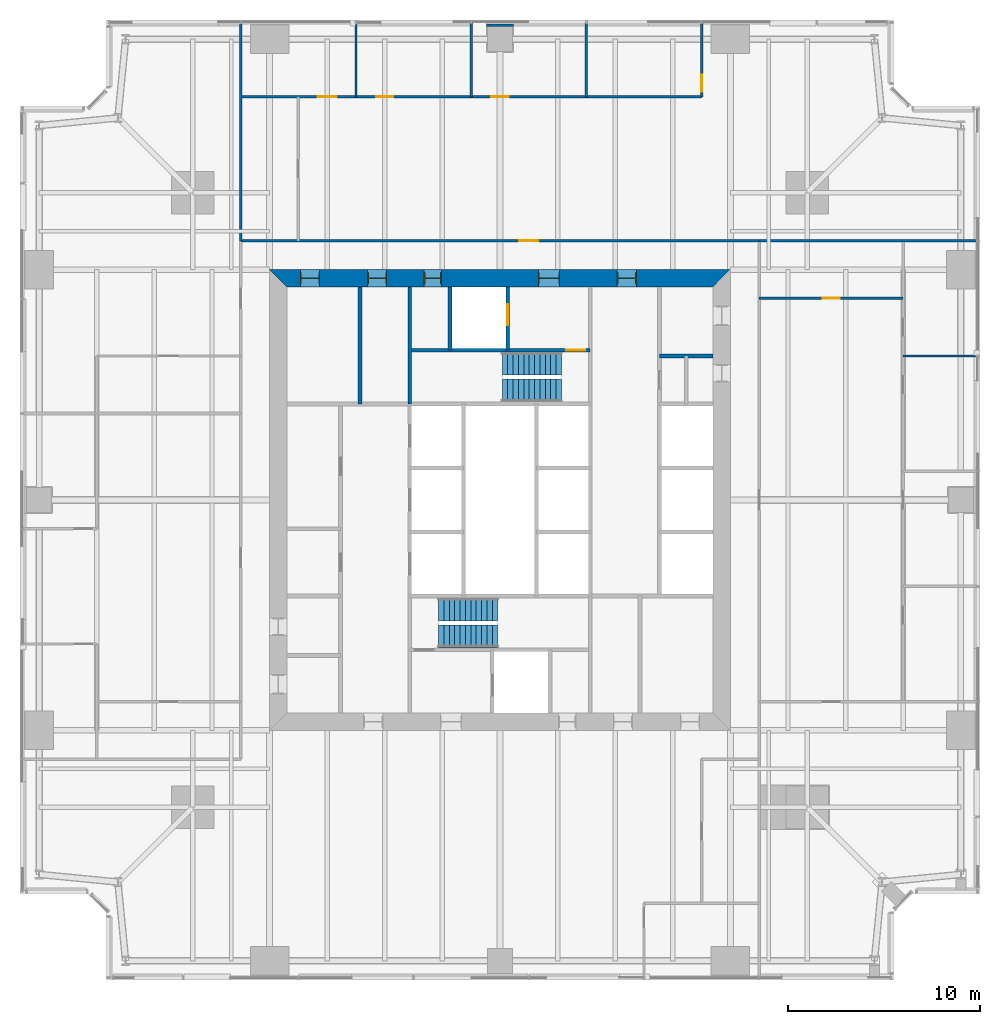
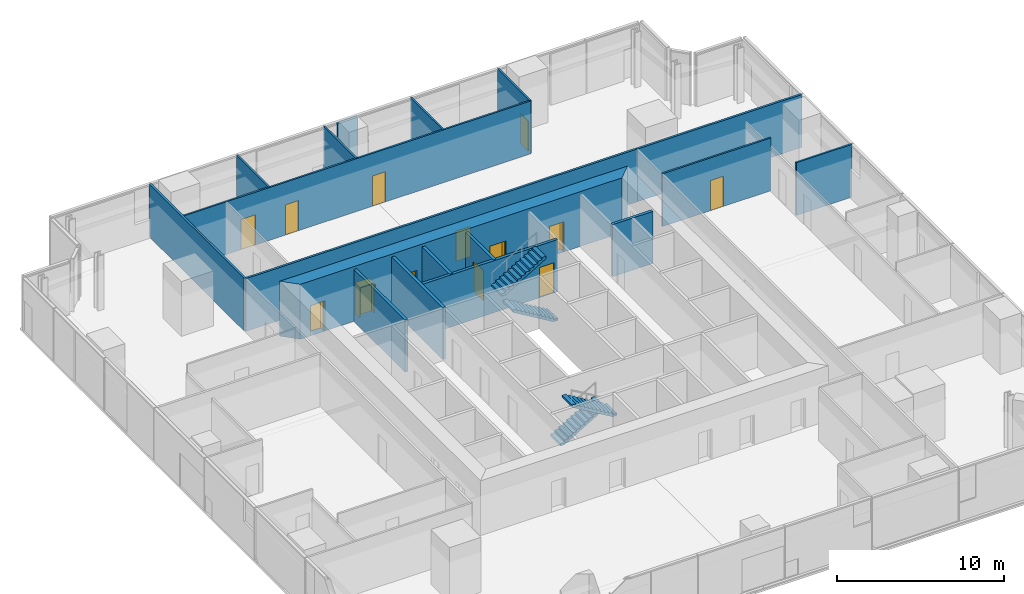
# One storey, part 11 of 13: 18 walls, 13 doors, 4 stair flights, 13 openings, 2 elements without a shape of their own.
"""IFC4 building model written with IfcOpenShell, lengths in metres."""

import ifcopenshell
import ifcopenshell.guid

model = None  # the IFC model being written
_history = None  # IfcOwnerHistory: only IFC2X3 demands one
_inside = {}  # id of a spatial element -> (the spatial element, [elements in it])
_under = {}  # id of a project, library or spatial element -> (it, [spatial elements below it])
_declared = {}  # id of a project -> (the project, [libraries it declares])
_typed = {}  # id of a type object -> (the type object, [elements of that type])
_made_of = {}  # id of a material, layer set ... -> (it, [elements and type objects made of it])


def new_model(schema):
    """Start an empty IFC model of exactly this schema.

    Asked for "IFC4X3", IfcOpenShell would pick the latest addendum, in which some entities
    have other attributes; the version numbers below select the first issue.
    IFC2X3 requires an IfcOwnerHistory on every rooted entity: one is made here for all.
    """
    global model, _history
    if schema == "IFC4X3":
        model = ifcopenshell.file(schema_version=(4, 3, 0, 0))
    else:
        model = ifcopenshell.file(schema=schema)
    _inside.clear()
    _under.clear()
    _declared.clear()
    _typed.clear()
    _made_of.clear()
    _history = None
    if model.schema == "IFC2X3":
        org = make("IfcOrganization", Name="unknown")
        user = make(
            "IfcPersonAndOrganization",
            ThePerson=make("IfcPerson", FamilyName="unknown"),
            TheOrganization=org,
        )
        app = make(
            "IfcApplication",
            ApplicationDeveloper=org,
            Version="unknown",
            ApplicationFullName="unknown",
            ApplicationIdentifier="unknown",
        )
        _history = make(
            "IfcOwnerHistory",
            OwningUser=user,
            OwningApplication=app,
            ChangeAction="ADDED",
            CreationDate=0,
        )
    return model


def make(cls, **values):
    """One entity of the class cls with the attributes given. An attribute that is None is left unset."""
    return model.create_entity(
        cls, **{name: value for name, value in values.items() if value is not None}
    )


def rooted(cls, **values):
    """An entity with a GlobalId (a new one), such as an element, a storey or a relation."""
    return make(cls, GlobalId=ifcopenshell.guid.new(), OwnerHistory=_history, **values)


def si_unit(unit_type, name, prefix=None):
    """IfcSIUnit, for example si_unit("LENGTHUNIT", "METRE", prefix="MILLI")."""
    return make("IfcSIUnit", UnitType=unit_type, Prefix=prefix, Name=name)


def assignment(units):
    """IfcUnitAssignment: the units of a project."""
    return None if units is None else make("IfcUnitAssignment", Units=units)


def point(xyz):
    """IfcCartesianPoint."""
    return None if xyz is None else make("IfcCartesianPoint", Coordinates=xyz)


def direction(xyz):
    """IfcDirection."""
    return None if xyz is None else make("IfcDirection", DirectionRatios=xyz)


def frame(location, z_axis=None, x_axis=None):
    """IfcAxis2Placement3D, a coordinate frame: its origin and axes. An axis left out is left unset."""
    return make(
        "IfcAxis2Placement3D",
        Location=point(location),
        Axis=direction(z_axis),
        RefDirection=direction(x_axis),
    )


def frame_2d(location, x_axis=None):
    """IfcAxis2Placement2D, a coordinate frame in the plane: its origin and x axis."""
    return make(
        "IfcAxis2Placement2D", Location=point(location), RefDirection=direction(x_axis)
    )


def origin():
    """The frame at (0, 0, 0) with its axes left unset."""
    return frame((0.0, 0.0, 0.0))


def place(relative_to, where):
    """IfcLocalPlacement: puts the frame where relative to a parent placement (None: the world)."""
    return make(
        "IfcLocalPlacement", PlacementRelTo=relative_to, RelativePlacement=where
    )


def context(
    kind, dimensions, precision=None, world=None, true_north=None, identifier=None
):
    """IfcGeometricRepresentationContext, for example the 3D "Model" context."""
    return make(
        "IfcGeometricRepresentationContext",
        ContextIdentifier=identifier,
        ContextType=kind,
        CoordinateSpaceDimension=dimensions,
        Precision=precision,
        WorldCoordinateSystem=world,
        TrueNorth=true_north,
    )


def subcontext(parent, identifier, kind, view, scale=None):
    """IfcGeometricRepresentationSubContext, for example "Body" below "Model"."""
    return make(
        "IfcGeometricRepresentationSubContext",
        ContextIdentifier=identifier,
        ContextType=kind,
        ParentContext=parent,
        TargetScale=scale,
        TargetView=view,
    )


def project(units=None, contexts=None):
    """IfcProject with its units and contexts."""
    return rooted(
        "IfcProject",
        Name="project",
        RepresentationContexts=contexts,
        UnitsInContext=assignment(units),
    )


def spatial(cls, under=None, at=None, **own):
    """A site, building, storey or space (cls), placed at a placement, below another one or the project."""
    s = rooted(cls, ObjectPlacement=at, **own)
    if under is not None:
        _under.setdefault(under.id(), (under, []))[1].append(s)
    return s


def polyline(points):
    """IfcPolyline through the points."""
    return make("IfcPolyline", Points=[point(p) for p in points])


def profile(cls, at=None, kind="AREA", **sizes):
    """A parametric profile (cls). Its sizes go by their IFC names, for example OverallWidth=200.0."""
    return make(cls, ProfileType=kind, Position=at, **sizes)


def rectangle(**sizes):
    """IfcRectangleProfileDef."""
    return profile("IfcRectangleProfileDef", **sizes)


def outline(outer, holes=None, kind="AREA"):
    """IfcArbitraryClosedProfileDef: a profile drawn as a closed curve; with holes, ...WithVoids."""
    if holes is None:
        return make("IfcArbitraryClosedProfileDef", ProfileType=kind, OuterCurve=outer)
    return make(
        "IfcArbitraryProfileDefWithVoids",
        ProfileType=kind,
        OuterCurve=outer,
        InnerCurves=holes,
    )


def extrude(swept, where, along, depth):
    """IfcExtrudedAreaSolid: the profile swept, set in the frame where, extruded along a direction by depth."""
    return make(
        "IfcExtrudedAreaSolid",
        SweptArea=swept,
        Position=where,
        ExtrudedDirection=direction(along),
        Depth=depth,
    )


def shape(context_of_items, identifier, shape_type, items):
    """IfcShapeRepresentation: the items that make up one representation, for example the "Body"."""
    return make(
        "IfcShapeRepresentation",
        ContextOfItems=context_of_items,
        RepresentationIdentifier=identifier,
        RepresentationType=shape_type,
        Items=items,
    )


def material(Name=None, Category=None):
    """IfcMaterial."""
    return make("IfcMaterial", Name=Name, Category=Category)


def layer(
    of_material, thickness, ventilated=None, Name=None, Category=None, Priority=None
):
    """IfcMaterialLayer: one layer of a wall or slab, of a material (None: an air gap)."""
    return make(
        "IfcMaterialLayer",
        Material=of_material,
        LayerThickness=thickness,
        IsVentilated=ventilated,
        Name=Name,
        Category=Category,
        Priority=Priority,
    )


def layer_set(layers, Name=None):
    """IfcMaterialLayerSet."""
    return make("IfcMaterialLayerSet", MaterialLayers=layers, LayerSetName=Name)


def made_of(thing, what):
    """Note that an element or type object is made of a material, layer set ...; save() writes the relation."""
    if what is not None:
        _made_of.setdefault(what.id(), (what, []))[1].append(thing)
    return thing


def type_object(cls, material=None, **own):
    """A type object (cls), such as IfcWallType, which elements share."""
    return made_of(rooted(cls, **own), material)


def element(
    cls,
    number,
    at=None,
    inside=None,
    cuts=None,
    type_object=None,
    material=None,
    context=None,
    identifier="Body",
    shape_type=None,
    held_by="IfcProductDefinitionShape",
    body=None,
    shapes=None,
    **own,
):
    """One element of the class cls, such as IfcWall. Its Tag is "e" and its number.

    at: its placement. inside: the storey or other place that contains it. cuts: it is an
    opening in that element (IfcRelVoidsElement). A single representation is given by context,
    identifier, shape_type and body (its items); several are given by shapes. held_by: the class
    of the entity that holds the representations. save() writes the other relations.
    """
    e = rooted(cls, Tag="e%d" % number, ObjectPlacement=at, **own)
    if body is not None:
        shapes = [shape(context, identifier, shape_type, body)]
    if shapes is not None:
        e.Representation = make(held_by, Representations=shapes)
    if inside is not None:
        _inside.setdefault(inside.id(), (inside, []))[1].append(e)
    if cuts is not None:
        rooted(
            "IfcRelVoidsElement", RelatingBuildingElement=cuts, RelatedOpeningElement=e
        )
    if type_object is not None:
        _typed.setdefault(type_object.id(), (type_object, []))[1].append(e)
    return made_of(e, material)


def fill(opening, filler):
    """IfcRelFillsElement: the door or window that sits in an opening."""
    return rooted(
        "IfcRelFillsElement",
        RelatingOpeningElement=opening,
        RelatedBuildingElement=filler,
    )


def aggregate(whole, parts):
    """IfcRelAggregates: a whole, such as a stair, and the parts it consists of."""
    return rooted("IfcRelAggregates", RelatingObject=whole, RelatedObjects=parts)


def save(model, path):
    """Write the relations noted so far, then the file.

    IfcRelAggregates (storeys below a building ...), IfcRelContainedInSpatialStructure (elements
    in a storey), IfcRelDefinesByType, IfcRelAssociatesMaterial and IfcRelDeclares: one each for
    every whole, place, type object, material and project.
    """
    for whole, parts in _under.values():
        aggregate(whole, parts)
    for where, things in _inside.values():
        rooted(
            "IfcRelContainedInSpatialStructure",
            RelatedElements=things,
            RelatingStructure=where,
        )
    for kind, things in _typed.values():
        rooted("IfcRelDefinesByType", RelatedObjects=things, RelatingType=kind)
    for what, things in _made_of.values():
        rooted("IfcRelAssociatesMaterial", RelatedObjects=things, RelatingMaterial=what)
    for by, libraries in _declared.values():
        rooted("IfcRelDeclares", RelatingContext=by, RelatedDefinitions=libraries)
    model.write(path)


model = new_model("IFC4")

# Units and contexts
model_context = context("Model", 3, precision=1e-05, world=origin(), true_north=direction((0.0, 1.0)))
body_context = subcontext(model_context, "Body", "Model", "MODEL_VIEW")
ifc_project = project(units=[si_unit("LENGTHUNIT", "METRE"), si_unit("AREAUNIT", "SQUARE_METRE"), si_unit("VOLUMEUNIT", "CUBIC_METRE"), si_unit("PLANEANGLEUNIT", "RADIAN"), si_unit("MASSUNIT", "GRAM", prefix="KILO")], contexts=[model_context])

# Site, building, storey
site_placement = place(None, origin())
site = spatial("IfcSite", under=ifc_project, at=site_placement, CompositionType="ELEMENT")
building_placement = place(site_placement, origin())
building = spatial("IfcBuilding", under=site, at=building_placement, Name="Fenwick Lantern Interchange", CompositionType="ELEMENT")
storey_placement = place(building_placement, frame((0.0, 0.0, 138.39990234375)))
storey = spatial("IfcBuildingStorey", under=building, at=storey_placement, Name="L32", CompositionType="ELEMENT", Elevation=138.39990234375)

# Wall
ifc_material_1 = material(Name="Fire-rated gypsum board encasement on steel studs, 2 hour", Category="steel")
ifc_layer_1 = layer(ifc_material_1, 1.39990234375)
ifc_layer_set_1 = layer_set([ifc_layer_1], Name="COLUMN PIER 1400")
wall_type_1 = type_object("IfcWallType", Name="COLUMN PIER 1400", PredefinedType="PARTITIONING", material=ifc_layer_set_1)
wall_1_placement = place(storey_placement, frame((25.0, 49.800048828125, 0.0), z_axis=(0.0, 0.0, 1.0), x_axis=(0.0, -1.0, 0.0)))
element("IfcWall", 1, at=wall_1_placement, inside=storey, type_object=wall_type_1, Name="L32/W/PIER/CN3", PredefinedType="PARTITIONING", context=body_context, shape_type="SweptSolid", body=[
    extrude(rectangle(XDim=0.150146484375, YDim=1.39990234375, at=frame_2d((0.0751953125, 0.0))), origin(), (0.0, 0.0, 1.0), 3.85009765625),
])

# Wall, opening, door
ifc_material_2 = material(Name="Concrete masonry ASTM C90 Grade N", Category="masonry")
ifc_layer_2 = layer(ifc_material_2, 0.199951171875)
ifc_layer_set_2 = layer_set([ifc_layer_2], Name="Concrete masonry ASTM C90 Grade N")
wall_type_2 = type_object("IfcWallType", Name="CORE PARTITION 200", PredefinedType="PARTITIONING", material=ifc_layer_set_2)
wall_2_placement = place(storey_placement, frame((25.39990234375, 36.10009765625, 0.0), z_axis=(0.0, 0.0, 1.0), x_axis=(0.0, -1.0, 0.0)))
wall_2 = element("IfcWall", 2, at=wall_2_placement, inside=storey, type_object=wall_type_2, Name="L32/W/COREN/h1", PredefinedType="PARTITIONING", context=body_context, shape_type="SweptSolid", body=[
    extrude(rectangle(XDim=3.300048828125, YDim=0.199951171875, at=frame_2d((1.64990234375, 0.0))), origin(), (0.0, 0.0, 1.0), 3.800048828125),
])
opening_1_placement = place(wall_2_placement, frame((0.89990234375, 0.0, 0.0)))
opening_1 = element("IfcOpeningElement", 3, at=opening_1_placement, cuts=wall_2, Name="Opening LD-FL2", PredefinedType="OPENING", context=body_context, shape_type="SweptSolid", body=[
    extrude(rectangle(XDim=1.10009765625, YDim=2.199951171875, at=frame_2d((0.550048828125, 1.10009765625))), frame((0.0, 0.10986328125, 0.0), z_axis=(0.0, -1.0, 0.0), x_axis=(1.0, 0.0, 0.0)), (0.0, 0.0, 1.0), 0.219970703125),
])
ifc_material_3 = material(Name="Steel door and frame", Category="steel")
door_type_1 = type_object("IfcDoorType", Name="LIFT LANDING DOOR 1100 X 2200", OperationType="DOUBLE_DOOR_SLIDING", PredefinedType="DOOR", material=ifc_material_3)
door_1_placement = place(opening_1_placement, origin())
door_1 = element("IfcDoor", 4, at=door_1_placement, inside=storey, type_object=door_type_1, Name="Lift landing door FL2", OperationType="DOUBLE_DOOR_SLIDING", OverallHeight=2.199951171875, OverallWidth=1.10009765625, PredefinedType="DOOR", context=body_context, shape_type="SweptSolid", body=[
    extrude(rectangle(XDim=1.10009765625, YDim=2.199951171875, at=frame_2d((0.550048828125, 1.10009765625))), frame((0.0, 0.02490234375, 0.0), z_axis=(0.0, -1.0, 0.0), x_axis=(1.0, 0.0, 0.0)), (0.0, 0.0, 1.0), 0.050048828125),
])
fill(opening_1, door_1)

# Walls
wall_3_placement = place(storey_placement, frame((22.39990234375, 36.10009765625, 0.0), z_axis=(0.0, 0.0, 1.0), x_axis=(0.0, -1.0, 0.0)))
element("IfcWall", 5, at=wall_3_placement, inside=storey, type_object=wall_type_2, Name="L32/W/COREN/h2", PredefinedType="PARTITIONING", context=body_context, shape_type="SweptSolid", body=[
    extrude(rectangle(XDim=3.300048828125, YDim=0.199951171875, at=frame_2d((1.64990234375, 0.0))), origin(), (0.0, 0.0, 1.0), 3.800048828125),
])
wall_4_placement = place(storey_placement, frame((17.699951171875, 36.10009765625, 0.0), z_axis=(0.0, 0.0, 1.0), x_axis=(0.0, -1.0, 0.0)))
element("IfcWall", 6, at=wall_4_placement, inside=storey, type_object=wall_type_2, Name="L32/W/COREN/i2", PredefinedType="PARTITIONING", context=body_context, shape_type="SweptSolid", body=[
    extrude(rectangle(XDim=6.10009765625, YDim=0.199951171875, at=frame_2d((3.050048828125, 0.0))), origin(), (0.0, 0.0, 1.0), 3.800048828125),
])
wall_5_placement = place(storey_placement, frame((36.10009765625, 32.5, 0.0), z_axis=(0.0, 0.0, 1.0), x_axis=(-1.0, 0.0, 0.0)))
element("IfcWall", 7, at=wall_5_placement, inside=storey, type_object=wall_type_2, Name="L32/W/COREN/p1", PredefinedType="PARTITIONING", context=body_context, shape_type="SweptSolid", body=[
    extrude(rectangle(XDim=2.800048828125, YDim=0.199951171875, at=frame_2d((1.39990234375, 0.0))), origin(), (0.0, 0.0, 1.0), 3.800048828125),
])

# Wall, openings, doors
ifc_material_4 = material(Name="Concrete f'c 70 MPa", Category="concrete")
ifc_layer_3 = layer(ifc_material_4, 0.89990234375)
ifc_layer_set_3 = layer_set([ifc_layer_3], Name="CORE WALL 900")
wall_type_3 = type_object("IfcWallType", Name="CORE WALL 900", PredefinedType="SHEAR", material=ifc_layer_set_3)
wall_6_placement = place(storey_placement, frame((37.0, 36.550048828125, 0.0), z_axis=(0.0, 0.0, 1.0), x_axis=(-1.0, 0.0, 0.0)))
wall_6 = element("IfcWall", 8, at=wall_6_placement, inside=storey, type_object=wall_type_3, Name="L32/CORE/N", PredefinedType="SHEAR", context=body_context, shape_type="SweptSolid", body=[
    extrude(outline(polyline([(0.0, -0.449951171875), (24.0, -0.449951171875), (23.10009765625, 0.449951171875), (0.89990234375, 0.449951171875), (0.0, -0.449951171875)])), origin(), (0.0, 0.0, 1.0), 4.0),
])
opening_2_placement = place(wall_6_placement, frame((4.89990234375, 0.0, 0.0)))
opening_2 = element("IfcOpeningElement", 9, at=opening_2_placement, cuts=wall_6, Name="Opening L32-D011", PredefinedType="OPENING", context=body_context, shape_type="SweptSolid", body=[
    extrude(rectangle(XDim=1.0, YDim=2.199951171875, at=frame_2d((0.5, 1.10009765625))), frame((0.0, 0.4599609375, 0.0), z_axis=(0.0, -1.0, 0.0), x_axis=(1.0, 0.0, 0.0)), (0.0, 0.0, 1.0), 0.919921875),
])
opening_3_placement = place(wall_6_placement, frame((8.89990234375, 0.0, 0.0)))
opening_3 = element("IfcOpeningElement", 10, at=opening_3_placement, cuts=wall_6, Name="Opening L32-D012", PredefinedType="OPENING", context=body_context, shape_type="SweptSolid", body=[
    extrude(rectangle(XDim=1.10009765625, YDim=2.199951171875, at=frame_2d((0.550048828125, 1.10009765625))), frame((0.0, 0.4599609375, 0.0), z_axis=(0.0, -1.0, 0.0), x_axis=(1.0, 0.0, 0.0)), (0.0, 0.0, 1.0), 0.919921875),
])
opening_4_placement = place(wall_6_placement, frame((15.050048828125, 0.0, 0.0)))
opening_4 = element("IfcOpeningElement", 11, at=opening_4_placement, cuts=wall_6, Name="Opening L32-D014", PredefinedType="OPENING", context=body_context, shape_type="SweptSolid", body=[
    extrude(rectangle(XDim=0.89990234375, YDim=2.199951171875, at=frame_2d((0.449951171875, 1.10009765625))), frame((0.0, 0.4599609375, 0.0), z_axis=(0.0, -1.0, 0.0), x_axis=(1.0, 0.0, 0.0)), (0.0, 0.0, 1.0), 0.919921875),
])
opening_5_placement = place(wall_6_placement, frame((17.89990234375, 0.0, 0.0)))
opening_5 = element("IfcOpeningElement", 12, at=opening_5_placement, cuts=wall_6, Name="Opening L32-D015", PredefinedType="OPENING", context=body_context, shape_type="SweptSolid", body=[
    extrude(rectangle(XDim=1.0, YDim=2.199951171875, at=frame_2d((0.5, 1.10009765625))), frame((0.0, 0.4599609375, 0.0), z_axis=(0.0, -1.0, 0.0), x_axis=(1.0, 0.0, 0.0)), (0.0, 0.0, 1.0), 0.919921875),
])
opening_6_placement = place(wall_6_placement, frame((21.39990234375, 0.0, 0.0)))
opening_6 = element("IfcOpeningElement", 13, at=opening_6_placement, cuts=wall_6, Name="Opening L32-D016", PredefinedType="OPENING", context=body_context, shape_type="SweptSolid", body=[
    extrude(rectangle(XDim=1.0, YDim=2.199951171875, at=frame_2d((0.5, 1.10009765625))), frame((0.0, 0.4599609375, 0.0), z_axis=(0.0, -1.0, 0.0), x_axis=(1.0, 0.0, 0.0)), (0.0, 0.0, 1.0), 0.919921875),
])
door_type_2 = type_object("IfcDoorType", Name="CORE LOBBY DOOR 1000 X 2200", OperationType="SINGLE_SWING_LEFT", PredefinedType="DOOR", material=ifc_material_3)
door_2_placement = place(opening_2_placement, origin())
door_2 = element("IfcDoor", 14, at=door_2_placement, inside=storey, type_object=door_type_2, Name="Core lobby door", OperationType="SINGLE_SWING_LEFT", OverallHeight=2.199951171875, OverallWidth=1.0, PredefinedType="DOOR", context=body_context, shape_type="SweptSolid", body=[
    extrude(rectangle(XDim=1.0, YDim=2.199951171875, at=frame_2d((0.5, 1.10009765625))), frame((0.0, 0.02490234375, 0.0), z_axis=(0.0, -1.0, 0.0), x_axis=(1.0, 0.0, 0.0)), (0.0, 0.0, 1.0), 0.050048828125),
    extrude(outline(polyline([(0.0, 0.0), (0.0400390625, 0.0), (0.0400390625, 2.159912109375), (0.9599609375, 2.159912109375), (0.9599609375, 0.0), (1.0, 0.0), (1.0, 2.199951171875), (0.0, 2.199951171875), (0.0, 0.0)])), frame((0.0, 0.300048828125, 0.0), z_axis=(0.0, -1.0, 0.0), x_axis=(1.0, 0.0, 0.0)), (0.0, 0.0, 1.0), 0.60009765625),
])
fill(opening_2, door_2)
door_type_3 = type_object("IfcDoorType", Name="FIRE LOBBY DOOR 1100 X 2200", OperationType="SINGLE_SWING_LEFT", PredefinedType="DOOR", material=ifc_material_3)
door_3_placement = place(opening_3_placement, origin())
door_3 = element("IfcDoor", 15, at=door_3_placement, inside=storey, type_object=door_type_3, Name="Fire lobby door", OperationType="SINGLE_SWING_LEFT", OverallHeight=2.199951171875, OverallWidth=1.10009765625, PredefinedType="DOOR", context=body_context, shape_type="SweptSolid", body=[
    extrude(rectangle(XDim=1.10009765625, YDim=2.199951171875, at=frame_2d((0.550048828125, 1.10009765625))), frame((0.0, 0.02490234375, 0.0), z_axis=(0.0, -1.0, 0.0), x_axis=(1.0, 0.0, 0.0)), (0.0, 0.0, 1.0), 0.050048828125),
    extrude(outline(polyline([(0.0, 0.0), (0.0400390625, 0.0), (0.0400390625, 2.159912109375), (1.06005859375, 2.159912109375), (1.06005859375, 0.0), (1.10009765625, 0.0), (1.10009765625, 2.199951171875), (0.0, 2.199951171875), (0.0, 0.0)])), frame((0.0, 0.300048828125, 0.0), z_axis=(0.0, -1.0, 0.0), x_axis=(1.0, 0.0, 0.0)), (0.0, 0.0, 1.0), 0.60009765625),
])
fill(opening_3, door_3)
door_type_4 = type_object("IfcDoorType", Name="SERVICE DOOR 900 X 2200", OperationType="SINGLE_SWING_LEFT", PredefinedType="DOOR", material=ifc_material_3)
door_4_placement = place(opening_4_placement, origin())
door_4 = element("IfcDoor", 16, at=door_4_placement, inside=storey, type_object=door_type_4, Name="Service door", OperationType="SINGLE_SWING_LEFT", OverallHeight=2.199951171875, OverallWidth=0.89990234375, PredefinedType="DOOR", context=body_context, shape_type="SweptSolid", body=[
    extrude(rectangle(XDim=0.89990234375, YDim=2.199951171875, at=frame_2d((0.449951171875, 1.10009765625))), frame((0.0, 0.02490234375, 0.0), z_axis=(0.0, -1.0, 0.0), x_axis=(1.0, 0.0, 0.0)), (0.0, 0.0, 1.0), 0.050048828125),
    extrude(outline(polyline([(0.0, 0.0), (0.0400390625, 0.0), (0.0400390625, 2.159912109375), (0.85986328125, 2.159912109375), (0.85986328125, 0.0), (0.89990234375, 0.0), (0.89990234375, 2.199951171875), (0.0, 2.199951171875), (0.0, 0.0)])), frame((0.0, 0.300048828125, 0.0), z_axis=(0.0, -1.0, 0.0), x_axis=(1.0, 0.0, 0.0)), (0.0, 0.0, 1.0), 0.60009765625),
])
fill(opening_4, door_4)
ifc_material_5 = material(Name="Hardwood door and steel frame", Category="steel")
door_type_5 = type_object("IfcDoorType", Name="WC DOOR 1000 X 2200", OperationType="SINGLE_SWING_LEFT", PredefinedType="DOOR", material=ifc_material_5)
door_5_placement = place(opening_5_placement, origin())
door_5 = element("IfcDoor", 17, at=door_5_placement, inside=storey, type_object=door_type_5, Name="Wc door", OperationType="SINGLE_SWING_RIGHT", OverallHeight=2.199951171875, OverallWidth=1.0, PredefinedType="DOOR", context=body_context, shape_type="SweptSolid", body=[
    extrude(rectangle(XDim=1.0, YDim=2.199951171875, at=frame_2d((0.5, 1.10009765625))), frame((0.0, 0.02490234375, 0.0), z_axis=(0.0, -1.0, 0.0), x_axis=(1.0, 0.0, 0.0)), (0.0, 0.0, 1.0), 0.050048828125),
    extrude(outline(polyline([(0.0, 0.0), (0.0400390625, 0.0), (0.0400390625, 2.159912109375), (0.9599609375, 2.159912109375), (0.9599609375, 0.0), (1.0, 0.0), (1.0, 2.199951171875), (0.0, 2.199951171875), (0.0, 0.0)])), frame((0.0, 0.300048828125, 0.0), z_axis=(0.0, -1.0, 0.0), x_axis=(1.0, 0.0, 0.0)), (0.0, 0.0, 1.0), 0.60009765625),
])
fill(opening_5, door_5)
door_6_placement = place(opening_6_placement, origin())
door_6 = element("IfcDoor", 18, at=door_6_placement, inside=storey, type_object=door_type_5, Name="Wc door", OperationType="SINGLE_SWING_RIGHT", OverallHeight=2.199951171875, OverallWidth=1.0, PredefinedType="DOOR", context=body_context, shape_type="SweptSolid", body=[
    extrude(rectangle(XDim=1.0, YDim=2.199951171875, at=frame_2d((0.5, 1.10009765625))), frame((0.0, 0.02490234375, 0.0), z_axis=(0.0, -1.0, 0.0), x_axis=(1.0, 0.0, 0.0)), (0.0, 0.0, 1.0), 0.050048828125),
    extrude(outline(polyline([(0.0, 0.0), (0.0400390625, 0.0), (0.0400390625, 2.159912109375), (0.9599609375, 2.159912109375), (0.9599609375, 0.0), (1.0, 0.0), (1.0, 2.199951171875), (0.0, 2.199951171875), (0.0, 0.0)])), frame((0.0, 0.300048828125, 0.0), z_axis=(0.0, -1.0, 0.0), x_axis=(1.0, 0.0, 0.0)), (0.0, 0.0, 1.0), 0.60009765625),
])
fill(opening_6, door_6)

# Wall, opening, door
ifc_material_6 = material(Name="Gypsum board on steel studs, 1 hour", Category="steel")
ifc_layer_4 = layer(ifc_material_6, 0.14990234375)
ifc_layer_set_4 = layer_set([ifc_layer_4], Name="CORRIDOR WALL 150")
wall_type_4 = type_object("IfcWallType", Name="CORRIDOR WALL 150", PredefinedType="PARTITIONING", material=ifc_layer_set_4)
wall_7_placement = place(storey_placement, frame((38.5, 38.5, 0.0), z_axis=(0.0, 0.0, 1.0), x_axis=(-1.0, 0.0, 0.0)))
wall_7 = element("IfcWall", 19, at=wall_7_placement, inside=storey, type_object=wall_type_4, Name="L32/W/OFF/N/CW", PredefinedType="PARTITIONING", context=body_context, shape_type="SweptSolid", body=[
    extrude(rectangle(XDim=27.0, YDim=0.14990234375, at=frame_2d((13.5, 0.0))), origin(), (0.0, 0.0, 1.0), 3.85009765625),
])
opening_7_placement = place(wall_7_placement, frame((11.5, 0.0, 0.0)))
opening_7 = element("IfcOpeningElement", 20, at=opening_7_placement, cuts=wall_7, Name="Opening L32-D029", PredefinedType="OPENING", context=body_context, shape_type="SweptSolid", body=[
    extrude(rectangle(XDim=1.0, YDim=2.199951171875, at=frame_2d((0.5, 1.10009765625))), frame((0.0, 0.0849609375, 0.0), z_axis=(0.0, -1.0, 0.0), x_axis=(1.0, 0.0, 0.0)), (0.0, 0.0, 1.0), 0.169921875),
])
door_type_6 = type_object("IfcDoorType", Name="SUITE ENTRANCE DOOR 1000 X 2200", OperationType="SINGLE_SWING_LEFT", PredefinedType="DOOR", material=ifc_material_3)
door_7_placement = place(opening_7_placement, frame((1.0, 0.0, 0.0), z_axis=(0.0, 0.0, 1.0), x_axis=(-1.0, 0.0, 0.0)))
door_7 = element("IfcDoor", 21, at=door_7_placement, inside=storey, type_object=door_type_6, Name="Suite entrance door", OperationType="SINGLE_SWING_LEFT", OverallHeight=2.199951171875, OverallWidth=1.0, PredefinedType="DOOR", context=body_context, shape_type="SweptSolid", body=[
    extrude(rectangle(XDim=1.0, YDim=2.199951171875, at=frame_2d((0.5, 1.10009765625))), frame((0.0, 0.02490234375, 0.0), z_axis=(0.0, -1.0, 0.0), x_axis=(1.0, 0.0, 0.0)), (0.0, 0.0, 1.0), 0.050048828125),
])
fill(opening_7, door_7)

# Wall
ifc_material_7 = material(Name="Gypsum board on steel studs, acoustic", Category="steel")
ifc_layer_5 = layer(ifc_material_7, 0.125)
ifc_layer_set_5 = layer_set([ifc_layer_5], Name="OFFICE PARTITION 125")
wall_type_5 = type_object("IfcWallType", Name="OFFICE PARTITION 125", PredefinedType="PARTITIONING", material=ifc_layer_set_5)
wall_8_placement = place(storey_placement, frame((49.85009765625, 32.5, 0.0), z_axis=(0.0, 0.0, 1.0), x_axis=(-1.0, 0.0, 0.0)))
element("IfcWall", 22, at=wall_8_placement, inside=storey, type_object=wall_type_5, Name="L32/W/OFF/E/X325-1", PredefinedType="PARTITIONING", context=body_context, shape_type="SweptSolid", body=[
    extrude(rectangle(XDim=3.85009765625, YDim=0.125, at=frame_2d((1.925048828125, 0.0))), origin(), (0.0, 0.0, 1.0), 3.85009765625),
])

# Wall, opening, door
wall_9_placement = place(storey_placement, frame((46.0, 35.5, 0.0), z_axis=(0.0, 0.0, 1.0), x_axis=(-1.0, 0.0, 0.0)))
wall_9 = element("IfcWall", 23, at=wall_9_placement, inside=storey, type_object=wall_type_5, Name="L32/W/OFF/E/X355-1", PredefinedType="PARTITIONING", context=body_context, shape_type="SweptSolid", body=[
    extrude(rectangle(XDim=7.5, YDim=0.125, at=frame_2d((3.75, 0.0))), origin(), (0.0, 0.0, 1.0), 3.85009765625),
])
opening_8_placement = place(wall_9_placement, frame((3.300048828125, 0.0, 0.0)))
opening_8 = element("IfcOpeningElement", 24, at=opening_8_placement, cuts=wall_9, Name="Opening L32-D028", PredefinedType="OPENING", context=body_context, shape_type="SweptSolid", body=[
    extrude(rectangle(XDim=0.89990234375, YDim=2.199951171875, at=frame_2d((0.449951171875, 1.10009765625))), frame((0.0, 0.072509765625, 0.0), z_axis=(0.0, -1.0, 0.0), x_axis=(1.0, 0.0, 0.0)), (0.0, 0.0, 1.0), 0.14501953125),
])
door_type_7 = type_object("IfcDoorType", Name="OFFICE DOOR 900 X 2200", OperationType="SINGLE_SWING_LEFT", PredefinedType="DOOR", material=ifc_material_5)
door_8_placement = place(opening_8_placement, frame((0.89990234375, 0.0, 0.0), z_axis=(0.0, 0.0, 1.0), x_axis=(-1.0, 0.0, 0.0)))
door_8 = element("IfcDoor", 25, at=door_8_placement, inside=storey, type_object=door_type_7, Name="Office door", OperationType="SINGLE_SWING_RIGHT", OverallHeight=2.199951171875, OverallWidth=0.89990234375, PredefinedType="DOOR", context=body_context, shape_type="SweptSolid", body=[
    extrude(rectangle(XDim=0.89990234375, YDim=2.199951171875, at=frame_2d((0.449951171875, 1.10009765625))), frame((0.0, 0.02490234375, 0.0), z_axis=(0.0, -1.0, 0.0), x_axis=(1.0, 0.0, 0.0)), (0.0, 0.0, 1.0), 0.050048828125),
])
fill(opening_8, door_8)

wall_10_placement = place(storey_placement, frame((35.5, 49.85009765625, 0.0), z_axis=(0.0, 0.0, 1.0), x_axis=(0.0, -1.0, 0.0)))
wall_10 = element("IfcWall", 26, at=wall_10_placement, inside=storey, type_object=wall_type_5, Name="L32/W/OFF/N/X145-1", PredefinedType="PARTITIONING", context=body_context, shape_type="SweptSolid", body=[
    extrude(rectangle(XDim=3.85009765625, YDim=0.125, at=frame_2d((1.925048828125, 0.0))), origin(), (0.0, 0.0, 1.0), 3.85009765625),
])
opening_9_placement = place(wall_10_placement, frame((2.699951171875, 0.0, 0.0)))
opening_9 = element("IfcOpeningElement", 27, at=opening_9_placement, cuts=wall_10, Name="Opening L32-D030", PredefinedType="OPENING", context=body_context, shape_type="SweptSolid", body=[
    extrude(rectangle(XDim=0.89990234375, YDim=2.199951171875, at=frame_2d((0.449951171875, 1.10009765625))), frame((0.0, 0.072509765625, 0.0), z_axis=(0.0, -1.0, 0.0), x_axis=(1.0, 0.0, 0.0)), (0.0, 0.0, 1.0), 0.14501953125),
])
door_9_placement = place(opening_9_placement, frame((0.89990234375, 0.0, 0.0), z_axis=(0.0, 0.0, 1.0), x_axis=(-1.0, 0.0, 0.0)))
door_9 = element("IfcDoor", 28, at=door_9_placement, inside=storey, type_object=door_type_7, Name="Office door", OperationType="SINGLE_SWING_LEFT", OverallHeight=2.199951171875, OverallWidth=0.89990234375, PredefinedType="DOOR", context=body_context, shape_type="SweptSolid", body=[
    extrude(rectangle(XDim=0.89990234375, YDim=2.199951171875, at=frame_2d((0.449951171875, 1.10009765625))), frame((0.0, 0.02490234375, 0.0), z_axis=(0.0, -1.0, 0.0), x_axis=(1.0, 0.0, 0.0)), (0.0, 0.0, 1.0), 0.050048828125),
])
fill(opening_9, door_9)

# Walls
for number, where, z_axis, x_axis, name in (
    (29, (29.5, 49.85009765625, 0.0), (0.0, 0.0, 1.0), (0.0, -1.0, 0.0), "L32/W/OFF/N/X205-1"),
    (30, (23.5, 49.85009765625, 0.0), (0.0, 0.0, 1.0), (0.0, -1.0, 0.0), "L32/W/OFF/N/X265-1"),
    (31, (17.5, 49.85009765625, 0.0), (0.0, 0.0, 1.0), (0.0, -1.0, 0.0), "L32/W/OFF/N/X325-1"),
):
    element("IfcWall", number, at=place(storey_placement, frame(where, z_axis=z_axis, x_axis=x_axis)), inside=storey, type_object=wall_type_5, Name=name, PredefinedType="PARTITIONING", context=body_context, shape_type="SweptSolid", body=[
        extrude(rectangle(XDim=3.85009765625, YDim=0.125, at=frame_2d((1.925048828125, 0.0))), origin(), (0.0, 0.0, 1.0), 3.85009765625),
    ])

# Wall, openings, doors
wall_11_placement = place(storey_placement, frame((35.5, 46.0, 0.0), z_axis=(0.0, 0.0, 1.0), x_axis=(-1.0, 0.0, 0.0)))
wall_11 = element("IfcWall", 32, at=wall_11_placement, inside=storey, type_object=wall_type_5, Name="L32/W/OFF/N/Y40-1", PredefinedType="PARTITIONING", context=body_context, shape_type="SweptSolid", body=[
    extrude(rectangle(XDim=24.0, YDim=0.125, at=frame_2d((12.0, 0.0))), origin(), (0.0, 0.0, 1.0), 3.85009765625),
])
opening_10_placement = place(wall_11_placement, frame((10.050048828125, 0.0, 0.0)))
opening_10 = element("IfcOpeningElement", 33, at=opening_10_placement, cuts=wall_11, Name="Opening L32-D031", PredefinedType="OPENING", context=body_context, shape_type="SweptSolid", body=[
    extrude(rectangle(XDim=0.89990234375, YDim=2.199951171875, at=frame_2d((0.449951171875, 1.10009765625))), frame((0.0, 0.072509765625, 0.0), z_axis=(0.0, -1.0, 0.0), x_axis=(1.0, 0.0, 0.0)), (0.0, 0.0, 1.0), 0.14501953125),
])
opening_11_placement = place(wall_11_placement, frame((16.050048828125, 0.0, 0.0)))
opening_11 = element("IfcOpeningElement", 34, at=opening_11_placement, cuts=wall_11, Name="Opening L32-D032", PredefinedType="OPENING", context=body_context, shape_type="SweptSolid", body=[
    extrude(rectangle(XDim=0.89990234375, YDim=2.199951171875, at=frame_2d((0.449951171875, 1.10009765625))), frame((0.0, 0.072509765625, 0.0), z_axis=(0.0, -1.0, 0.0), x_axis=(1.0, 0.0, 0.0)), (0.0, 0.0, 1.0), 0.14501953125),
])
opening_12_placement = place(wall_11_placement, frame((19.0, 0.0, 0.0)))
opening_12 = element("IfcOpeningElement", 35, at=opening_12_placement, cuts=wall_11, Name="Opening L32-D033", PredefinedType="OPENING", context=body_context, shape_type="SweptSolid", body=[
    extrude(rectangle(XDim=1.0, YDim=2.199951171875, at=frame_2d((0.5, 1.10009765625))), frame((0.0, 0.072509765625, 0.0), z_axis=(0.0, -1.0, 0.0), x_axis=(1.0, 0.0, 0.0)), (0.0, 0.0, 1.0), 0.14501953125),
])
door_type_8 = type_object("IfcDoorType", Name="MEETING ROOM DOOR 1000 X 2200", OperationType="SINGLE_SWING_LEFT", PredefinedType="DOOR", material=ifc_material_5)
door_10_placement = place(opening_12_placement, frame((1.0, 0.0, 0.0), z_axis=(0.0, 0.0, 1.0), x_axis=(-1.0, 0.0, 0.0)))
door_10 = element("IfcDoor", 36, at=door_10_placement, inside=storey, type_object=door_type_8, Name="Meeting room door", OperationType="SINGLE_SWING_RIGHT", OverallHeight=2.199951171875, OverallWidth=1.0, PredefinedType="DOOR", context=body_context, shape_type="SweptSolid", body=[
    extrude(rectangle(XDim=1.0, YDim=2.199951171875, at=frame_2d((0.5, 1.10009765625))), frame((0.0, 0.02490234375, 0.0), z_axis=(0.0, -1.0, 0.0), x_axis=(1.0, 0.0, 0.0)), (0.0, 0.0, 1.0), 0.050048828125),
])
fill(opening_12, door_10)
door_11_placement = place(opening_10_placement, frame((0.89990234375, 0.0, 0.0), z_axis=(0.0, 0.0, 1.0), x_axis=(-1.0, 0.0, 0.0)))
door_11 = element("IfcDoor", 37, at=door_11_placement, inside=storey, type_object=door_type_7, Name="Office door", OperationType="SINGLE_SWING_LEFT", OverallHeight=2.199951171875, OverallWidth=0.89990234375, PredefinedType="DOOR", context=body_context, shape_type="SweptSolid", body=[
    extrude(rectangle(XDim=0.89990234375, YDim=2.199951171875, at=frame_2d((0.449951171875, 1.10009765625))), frame((0.0, 0.02490234375, 0.0), z_axis=(0.0, -1.0, 0.0), x_axis=(1.0, 0.0, 0.0)), (0.0, 0.0, 1.0), 0.050048828125),
])
fill(opening_10, door_11)
door_12_placement = place(opening_11_placement, frame((0.89990234375, 0.0, 0.0), z_axis=(0.0, 0.0, 1.0), x_axis=(-1.0, 0.0, 0.0)))
door_12 = element("IfcDoor", 38, at=door_12_placement, inside=storey, type_object=door_type_7, Name="Office door", OperationType="SINGLE_SWING_LEFT", OverallHeight=2.199951171875, OverallWidth=0.89990234375, PredefinedType="DOOR", context=body_context, shape_type="SweptSolid", body=[
    extrude(rectangle(XDim=0.89990234375, YDim=2.199951171875, at=frame_2d((0.449951171875, 1.10009765625))), frame((0.0, 0.02490234375, 0.0), z_axis=(0.0, -1.0, 0.0), x_axis=(1.0, 0.0, 0.0)), (0.0, 0.0, 1.0), 0.050048828125),
])
fill(opening_11, door_12)

# Wall, opening, door
ifc_material_8 = material(Name="Concrete f'c 45 MPa", Category="concrete")
ifc_layer_6 = layer(ifc_material_8, 0.199951171875)
ifc_layer_set_6 = layer_set([ifc_layer_6], Name="STAIR CORE WALL 200")
wall_type_6 = type_object("IfcWallType", Name="STAIR CORE WALL 200", PredefinedType="SOLIDWALL", material=ifc_layer_set_6)
wall_12_placement = place(storey_placement, frame((29.699951171875, 32.800048828125, 0.0), z_axis=(0.0, 0.0, 1.0), x_axis=(-1.0, 0.0, 0.0)))
wall_12 = element("IfcWall", 39, at=wall_12_placement, inside=storey, type_object=wall_type_6, Name="L32/W/COREN/g1", PredefinedType="SOLIDWALL", context=body_context, shape_type="SweptSolid", body=[
    extrude(rectangle(XDim=9.39990234375, YDim=0.199951171875, at=frame_2d((4.699951171875, 0.0))), origin(), (0.0, 0.0, 1.0), 3.800048828125),
])
opening_13_placement = place(wall_12_placement, frame((0.25, 0.0, 0.0)))
opening_13 = element("IfcOpeningElement", 40, at=opening_13_placement, cuts=wall_12, Name="Opening L32-D013", PredefinedType="OPENING", context=body_context, shape_type="SweptSolid", body=[
    extrude(rectangle(XDim=1.0, YDim=2.199951171875, at=frame_2d((0.5, 1.10009765625))), frame((0.0, 0.10986328125, 0.0), z_axis=(0.0, -1.0, 0.0), x_axis=(1.0, 0.0, 0.0)), (0.0, 0.0, 1.0), 0.219970703125),
])
door_type_9 = type_object("IfcDoorType", Name="STAIR DOOR 1000 X 2200", OperationType="SINGLE_SWING_LEFT", PredefinedType="DOOR", material=ifc_material_3)
door_13_placement = place(opening_13_placement, origin())
door_13 = element("IfcDoor", 41, at=door_13_placement, inside=storey, type_object=door_type_9, Name="Stair door", OperationType="SINGLE_SWING_LEFT", OverallHeight=2.199951171875, OverallWidth=1.0, PredefinedType="DOOR", context=body_context, shape_type="SweptSolid", body=[
    extrude(rectangle(XDim=1.0, YDim=2.199951171875, at=frame_2d((0.5, 1.10009765625))), frame((0.0, 0.02490234375, 0.0), z_axis=(0.0, -1.0, 0.0), x_axis=(1.0, 0.0, 0.0)), (0.0, 0.0, 1.0), 0.050048828125),
])
fill(opening_13, door_13)

# Walls
wall_13_placement = place(storey_placement, frame((20.300048828125, 36.10009765625, 0.0), z_axis=(0.0, 0.0, 1.0), x_axis=(0.0, -1.0, 0.0)))
element("IfcWall", 42, at=wall_13_placement, inside=storey, type_object=wall_type_6, Name="L32/W/COREN/i1", PredefinedType="SOLIDWALL", context=body_context, shape_type="SweptSolid", body=[
    extrude(rectangle(XDim=6.10009765625, YDim=0.199951171875, at=frame_2d((3.050048828125, 0.0))), origin(), (0.0, 0.0, 1.0), 3.800048828125),
])
ifc_material_9 = material(Name="Gypsum board on steel studs, 1 hour acoustic", Category="steel")
ifc_layer_7 = layer(ifc_material_9, 0.14990234375)
ifc_layer_set_7 = layer_set([ifc_layer_7], Name="TENANT WALL 150")
wall_type_7 = type_object("IfcWallType", Name="TENANT WALL 150", PredefinedType="PARTITIONING", material=ifc_layer_set_7)
for number, where, z_axis, x_axis, name in (
    (43, (49.85009765625, 38.5, 0.0), (0.0, 0.0, 1.0), (-1.0, 0.0, 0.0), "L32/W/OFF/N/BACK"),
    (44, (11.5, 49.85009765625, 0.0), (0.0, 0.0, 1.0), (0.0, -1.0, 0.0), "L32/W/OFF/W/BACK"),
):
    element("IfcWall", number, at=place(storey_placement, frame(where, z_axis=z_axis, x_axis=x_axis)), inside=storey, type_object=wall_type_7, Name=name, PredefinedType="PARTITIONING", context=body_context, shape_type="SweptSolid", body=[
        extrude(rectangle(XDim=11.35009765625, YDim=0.14990234375, at=frame_2d((5.675048828125, 0.0))), origin(), (0.0, 0.0, 1.0), 3.85009765625),
    ])

# Stair, stair flights
ifc_material_10 = material(Name="Precast concrete f'c 35 MPa", Category="concrete")
stair_type = type_object("IfcStairType", Name="EXIT STAIR 1200", PredefinedType="HALF_TURN_STAIR", material=ifc_material_10)
stair_1_placement = place(storey_placement, origin())
stair_1 = element("IfcStair", 45, at=stair_1_placement, inside=storey, type_object=stair_type, Name="Exit stair ST1", PredefinedType="HALF_TURN_STAIR")
stair_flight_type = type_object("IfcStairFlightType", Name="STAIR FLIGHT 1200", PredefinedType="STRAIGHT", material=ifc_material_10)
stair_flight_1_placement = place(storey_placement, frame((21.800048828125, 19.300048828125, 0.0), z_axis=(0.0, 0.0, 1.0), x_axis=(1.0, 0.0, 0.0)))
stair_flight_1 = element("IfcStairFlight", 46, at=stair_flight_1_placement, type_object=stair_flight_type, Name="ST1 flight 1", NumberOfRisers=12, NumberOfTreads=11, PredefinedType="STRAIGHT", RiserHeight=0.166666667, TreadLength=0.28, context=body_context, shape_type="SweptSolid", body=[
    extrude(outline(polyline([(0.0, 0.0), (0.0, 0.166748046875), (0.280029296875, 0.166748046875), (0.280029296875, 0.333251953125), (0.56005859375, 0.333251953125), (0.56005859375, 0.5), (0.840087890625, 0.5), (0.840087890625, 0.666748046875), (1.1201171875, 0.666748046875), (1.1201171875, 0.833251953125), (1.39990234375, 0.833251953125), (1.39990234375, 1.0), (1.679931640625, 1.0), (1.679931640625, 1.166748046875), (1.9599609375, 1.166748046875), (1.9599609375, 1.333251953125), (2.239990234375, 1.333251953125), (2.239990234375, 1.5), (2.52001953125, 1.5), (2.52001953125, 1.666748046875), (2.800048828125, 1.666748046875), (2.800048828125, 1.833251953125), (3.080078125, 1.833251953125), (3.080078125, 2.0), (3.080078125, 1.658935546875), (0.29296875, 0.0), (0.0, 0.0)])), frame((0.0, 0.60009765625, 0.0), z_axis=(0.0, -1.0, 0.0), x_axis=(1.0, 0.0, 0.0)), (0.0, 0.0, 1.0), 1.199951171875),
])
stair_flight_2_placement = place(storey_placement, frame((24.8798828125, 17.89990234375, 2.0), z_axis=(0.0, 0.0, 1.0), x_axis=(-1.0, 0.0, 0.0)))
stair_flight_2 = element("IfcStairFlight", 47, at=stair_flight_2_placement, type_object=stair_flight_type, Name="ST1 flight 2", NumberOfRisers=12, NumberOfTreads=11, PredefinedType="STRAIGHT", RiserHeight=0.166666667, TreadLength=0.28, context=body_context, shape_type="SweptSolid", body=[
    extrude(outline(polyline([(0.0, 0.0), (0.0, 0.166748046875), (0.280029296875, 0.166748046875), (0.280029296875, 0.333251953125), (0.56005859375, 0.333251953125), (0.56005859375, 0.5), (0.840087890625, 0.5), (0.840087890625, 0.666748046875), (1.1201171875, 0.666748046875), (1.1201171875, 0.833251953125), (1.39990234375, 0.833251953125), (1.39990234375, 1.0), (1.679931640625, 1.0), (1.679931640625, 1.166748046875), (1.9599609375, 1.166748046875), (1.9599609375, 1.333251953125), (2.239990234375, 1.333251953125), (2.239990234375, 1.5), (2.52001953125, 1.5), (2.52001953125, 1.666748046875), (2.800048828125, 1.666748046875), (2.800048828125, 1.833251953125), (3.080078125, 1.833251953125), (3.080078125, 2.0), (3.080078125, 1.658935546875), (0.29296875, 0.0), (0.0, 0.0)])), frame((0.0, 0.60009765625, 0.0), z_axis=(0.0, -1.0, 0.0), x_axis=(1.0, 0.0, 0.0)), (0.0, 0.0, 1.0), 1.199951171875),
])
aggregate(stair_1, [stair_flight_1, stair_flight_2])

stair_2_placement = place(storey_placement, origin())
stair_2 = element("IfcStair", 48, at=stair_2_placement, inside=storey, type_object=stair_type, Name="Exit stair ST2", PredefinedType="HALF_TURN_STAIR")
stair_flight_3_placement = place(storey_placement, frame((28.199951171875, 30.699951171875, 0.0), z_axis=(0.0, 0.0, 1.0), x_axis=(-1.0, 0.0, 0.0)))
stair_flight_3 = element("IfcStairFlight", 49, at=stair_flight_3_placement, type_object=stair_flight_type, Name="ST2 flight 1", NumberOfRisers=12, NumberOfTreads=11, PredefinedType="STRAIGHT", RiserHeight=0.166666667, TreadLength=0.28, context=body_context, shape_type="SweptSolid", body=[
    extrude(outline(polyline([(0.0, 0.0), (0.0, 0.166748046875), (0.280029296875, 0.166748046875), (0.280029296875, 0.333251953125), (0.56005859375, 0.333251953125), (0.56005859375, 0.5), (0.840087890625, 0.5), (0.840087890625, 0.666748046875), (1.1201171875, 0.666748046875), (1.1201171875, 0.833251953125), (1.39990234375, 0.833251953125), (1.39990234375, 1.0), (1.679931640625, 1.0), (1.679931640625, 1.166748046875), (1.9599609375, 1.166748046875), (1.9599609375, 1.333251953125), (2.239990234375, 1.333251953125), (2.239990234375, 1.5), (2.52001953125, 1.5), (2.52001953125, 1.666748046875), (2.800048828125, 1.666748046875), (2.800048828125, 1.833251953125), (3.080078125, 1.833251953125), (3.080078125, 2.0), (3.080078125, 1.658935546875), (0.29296875, 0.0), (0.0, 0.0)])), frame((0.0, 0.60009765625, 0.0), z_axis=(0.0, -1.0, 0.0), x_axis=(1.0, 0.0, 0.0)), (0.0, 0.0, 1.0), 1.199951171875),
])
stair_flight_4_placement = place(storey_placement, frame((25.1201171875, 32.10009765625, 2.0), z_axis=(0.0, 0.0, 1.0), x_axis=(1.0, 0.0, 0.0)))
stair_flight_4 = element("IfcStairFlight", 50, at=stair_flight_4_placement, type_object=stair_flight_type, Name="ST2 flight 2", NumberOfRisers=12, NumberOfTreads=11, PredefinedType="STRAIGHT", RiserHeight=0.166666667, TreadLength=0.28, context=body_context, shape_type="SweptSolid", body=[
    extrude(outline(polyline([(0.0, 0.0), (0.0, 0.166748046875), (0.280029296875, 0.166748046875), (0.280029296875, 0.333251953125), (0.56005859375, 0.333251953125), (0.56005859375, 0.5), (0.840087890625, 0.5), (0.840087890625, 0.666748046875), (1.1201171875, 0.666748046875), (1.1201171875, 0.833251953125), (1.39990234375, 0.833251953125), (1.39990234375, 1.0), (1.679931640625, 1.0), (1.679931640625, 1.166748046875), (1.9599609375, 1.166748046875), (1.9599609375, 1.333251953125), (2.239990234375, 1.333251953125), (2.239990234375, 1.5), (2.52001953125, 1.5), (2.52001953125, 1.666748046875), (2.800048828125, 1.666748046875), (2.800048828125, 1.833251953125), (3.080078125, 1.833251953125), (3.080078125, 2.0), (3.080078125, 1.658935546875), (0.29296875, 0.0), (0.0, 0.0)])), frame((0.0, 0.60009765625, 0.0), z_axis=(0.0, -1.0, 0.0), x_axis=(1.0, 0.0, 0.0)), (0.0, 0.0, 1.0), 1.199951171875),
])
aggregate(stair_2, [stair_flight_3, stair_flight_4])

save(model, "model.ifc")
